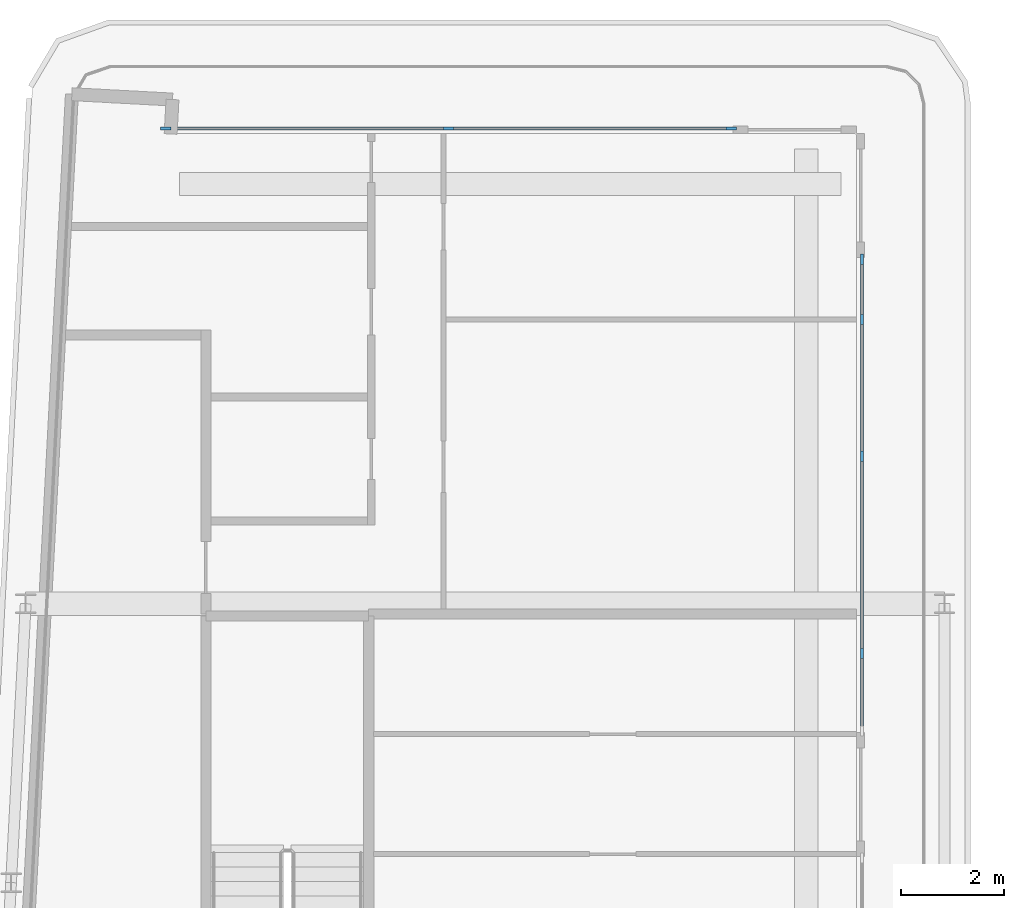
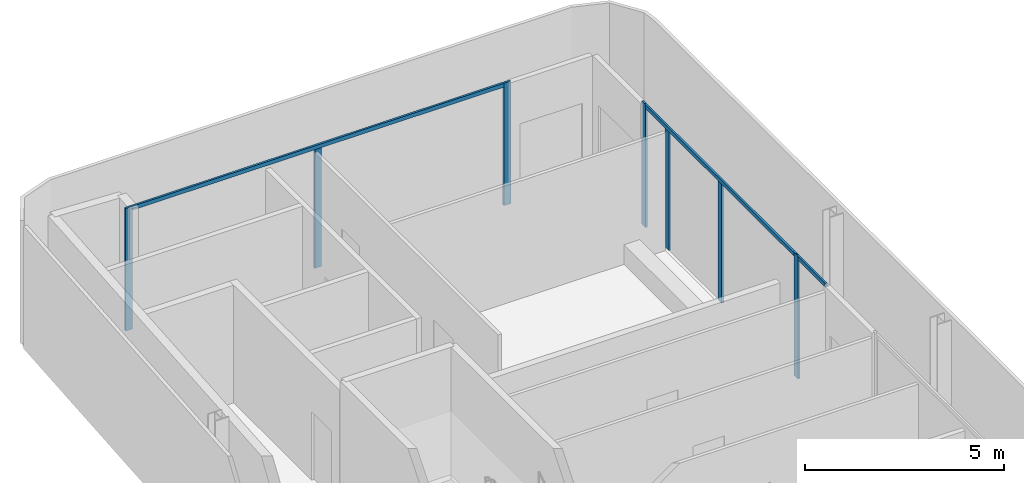
# One storey, part 8 of 21: 10 members, 3 elements without a shape of their own.
"""IFC4 building model written with IfcOpenShell, lengths in metres."""

import ifcopenshell
import ifcopenshell.guid

model = None  # the IFC model being written
_history = None  # IfcOwnerHistory: only IFC2X3 demands one
_inside = {}  # id of a spatial element -> (the spatial element, [elements in it])
_under = {}  # id of a project, library or spatial element -> (it, [spatial elements below it])
_declared = {}  # id of a project -> (the project, [libraries it declares])
_typed = {}  # id of a type object -> (the type object, [elements of that type])
_made_of = {}  # id of a material, layer set ... -> (it, [elements and type objects made of it])


def new_model(schema):
    """Start an empty IFC model of exactly this schema.

    Asked for "IFC4X3", IfcOpenShell would pick the latest addendum, in which some entities
    have other attributes; the version numbers below select the first issue.
    IFC2X3 requires an IfcOwnerHistory on every rooted entity: one is made here for all.
    """
    global model, _history
    if schema == "IFC4X3":
        model = ifcopenshell.file(schema_version=(4, 3, 0, 0))
    else:
        model = ifcopenshell.file(schema=schema)
    _inside.clear()
    _under.clear()
    _declared.clear()
    _typed.clear()
    _made_of.clear()
    _history = None
    if model.schema == "IFC2X3":
        org = make("IfcOrganization", Name="unknown")
        user = make(
            "IfcPersonAndOrganization",
            ThePerson=make("IfcPerson", FamilyName="unknown"),
            TheOrganization=org,
        )
        app = make(
            "IfcApplication",
            ApplicationDeveloper=org,
            Version="unknown",
            ApplicationFullName="unknown",
            ApplicationIdentifier="unknown",
        )
        _history = make(
            "IfcOwnerHistory",
            OwningUser=user,
            OwningApplication=app,
            ChangeAction="ADDED",
            CreationDate=0,
        )
    return model


def make(cls, **values):
    """One entity of the class cls with the attributes given. An attribute that is None is left unset."""
    return model.create_entity(
        cls, **{name: value for name, value in values.items() if value is not None}
    )


def rooted(cls, **values):
    """An entity with a GlobalId (a new one), such as an element, a storey or a relation."""
    return make(cls, GlobalId=ifcopenshell.guid.new(), OwnerHistory=_history, **values)


def si_unit(unit_type, name, prefix=None):
    """IfcSIUnit, for example si_unit("LENGTHUNIT", "METRE", prefix="MILLI")."""
    return make("IfcSIUnit", UnitType=unit_type, Prefix=prefix, Name=name)


def assignment(units):
    """IfcUnitAssignment: the units of a project."""
    return None if units is None else make("IfcUnitAssignment", Units=units)


def point(xyz):
    """IfcCartesianPoint."""
    return None if xyz is None else make("IfcCartesianPoint", Coordinates=xyz)


def direction(xyz):
    """IfcDirection."""
    return None if xyz is None else make("IfcDirection", DirectionRatios=xyz)


def frame(location, z_axis=None, x_axis=None):
    """IfcAxis2Placement3D, a coordinate frame: its origin and axes. An axis left out is left unset."""
    return make(
        "IfcAxis2Placement3D",
        Location=point(location),
        Axis=direction(z_axis),
        RefDirection=direction(x_axis),
    )


def frame_2d(location, x_axis=None):
    """IfcAxis2Placement2D, a coordinate frame in the plane: its origin and x axis."""
    return make(
        "IfcAxis2Placement2D", Location=point(location), RefDirection=direction(x_axis)
    )


def origin():
    """The frame at (0, 0, 0) with its axes left unset."""
    return frame((0.0, 0.0, 0.0))


def origin_2d():
    """The frame at (0, 0) in the plane with its x axis left unset."""
    return frame_2d((0.0, 0.0))


def place(relative_to, where):
    """IfcLocalPlacement: puts the frame where relative to a parent placement (None: the world)."""
    return make(
        "IfcLocalPlacement", PlacementRelTo=relative_to, RelativePlacement=where
    )


def context(
    kind, dimensions, precision=None, world=None, true_north=None, identifier=None
):
    """IfcGeometricRepresentationContext, for example the 3D "Model" context."""
    return make(
        "IfcGeometricRepresentationContext",
        ContextIdentifier=identifier,
        ContextType=kind,
        CoordinateSpaceDimension=dimensions,
        Precision=precision,
        WorldCoordinateSystem=world,
        TrueNorth=true_north,
    )


def subcontext(parent, identifier, kind, view, scale=None):
    """IfcGeometricRepresentationSubContext, for example "Body" below "Model"."""
    return make(
        "IfcGeometricRepresentationSubContext",
        ContextIdentifier=identifier,
        ContextType=kind,
        ParentContext=parent,
        TargetScale=scale,
        TargetView=view,
    )


def project(units=None, contexts=None):
    """IfcProject with its units and contexts."""
    return rooted(
        "IfcProject",
        Name="project",
        RepresentationContexts=contexts,
        UnitsInContext=assignment(units),
    )


def spatial(cls, under=None, at=None, **own):
    """A site, building, storey or space (cls), placed at a placement, below another one or the project."""
    s = rooted(cls, ObjectPlacement=at, **own)
    if under is not None:
        _under.setdefault(under.id(), (under, []))[1].append(s)
    return s


def profile(cls, at=None, kind="AREA", **sizes):
    """A parametric profile (cls). Its sizes go by their IFC names, for example OverallWidth=200.0."""
    return make(cls, ProfileType=kind, Position=at, **sizes)


def rectangle(**sizes):
    """IfcRectangleProfileDef."""
    return profile("IfcRectangleProfileDef", **sizes)


def extrude(swept, where, along, depth):
    """IfcExtrudedAreaSolid: the profile swept, set in the frame where, extruded along a direction by depth."""
    return make(
        "IfcExtrudedAreaSolid",
        SweptArea=swept,
        Position=where,
        ExtrudedDirection=direction(along),
        Depth=depth,
    )


def shape(context_of_items, identifier, shape_type, items):
    """IfcShapeRepresentation: the items that make up one representation, for example the "Body"."""
    return make(
        "IfcShapeRepresentation",
        ContextOfItems=context_of_items,
        RepresentationIdentifier=identifier,
        RepresentationType=shape_type,
        Items=items,
    )


def material(Name=None, Category=None):
    """IfcMaterial."""
    return make("IfcMaterial", Name=Name, Category=Category)


def layer(
    of_material, thickness, ventilated=None, Name=None, Category=None, Priority=None
):
    """IfcMaterialLayer: one layer of a wall or slab, of a material (None: an air gap)."""
    return make(
        "IfcMaterialLayer",
        Material=of_material,
        LayerThickness=thickness,
        IsVentilated=ventilated,
        Name=Name,
        Category=Category,
        Priority=Priority,
    )


def layer_set(layers, Name=None):
    """IfcMaterialLayerSet."""
    return make("IfcMaterialLayerSet", MaterialLayers=layers, LayerSetName=Name)


def material_profile(
    of_material, cross_section, Name=None, Category=None, Priority=None
):
    """IfcMaterialProfile: a cross section and its material."""
    return make(
        "IfcMaterialProfile",
        Name=Name,
        Material=of_material,
        Profile=cross_section,
        Priority=Priority,
        Category=Category,
    )


def profile_set(profiles, Name=None, composite=None):
    """IfcMaterialProfileSet."""
    return make(
        "IfcMaterialProfileSet",
        Name=Name,
        MaterialProfiles=profiles,
        CompositeProfile=composite,
    )


def made_of(thing, what):
    """Note that an element or type object is made of a material, layer set ...; save() writes the relation."""
    if what is not None:
        _made_of.setdefault(what.id(), (what, []))[1].append(thing)
    return thing


def type_object(cls, material=None, **own):
    """A type object (cls), such as IfcWallType, which elements share."""
    return made_of(rooted(cls, **own), material)


def element(
    cls,
    number,
    at=None,
    inside=None,
    cuts=None,
    type_object=None,
    material=None,
    context=None,
    identifier="Body",
    shape_type=None,
    held_by="IfcProductDefinitionShape",
    body=None,
    shapes=None,
    **own,
):
    """One element of the class cls, such as IfcWall. Its Tag is "e" and its number.

    at: its placement. inside: the storey or other place that contains it. cuts: it is an
    opening in that element (IfcRelVoidsElement). A single representation is given by context,
    identifier, shape_type and body (its items); several are given by shapes. held_by: the class
    of the entity that holds the representations. save() writes the other relations.
    """
    e = rooted(cls, Tag="e%d" % number, ObjectPlacement=at, **own)
    if body is not None:
        shapes = [shape(context, identifier, shape_type, body)]
    if shapes is not None:
        e.Representation = make(held_by, Representations=shapes)
    if inside is not None:
        _inside.setdefault(inside.id(), (inside, []))[1].append(e)
    if cuts is not None:
        rooted(
            "IfcRelVoidsElement", RelatingBuildingElement=cuts, RelatedOpeningElement=e
        )
    if type_object is not None:
        _typed.setdefault(type_object.id(), (type_object, []))[1].append(e)
    return made_of(e, material)


def aggregate(whole, parts):
    """IfcRelAggregates: a whole, such as a stair, and the parts it consists of."""
    return rooted("IfcRelAggregates", RelatingObject=whole, RelatedObjects=parts)


def save(model, path):
    """Write the relations noted so far, then the file.

    IfcRelAggregates (storeys below a building ...), IfcRelContainedInSpatialStructure (elements
    in a storey), IfcRelDefinesByType, IfcRelAssociatesMaterial and IfcRelDeclares: one each for
    every whole, place, type object, material and project.
    """
    for whole, parts in _under.values():
        aggregate(whole, parts)
    for where, things in _inside.values():
        rooted(
            "IfcRelContainedInSpatialStructure",
            RelatedElements=things,
            RelatingStructure=where,
        )
    for kind, things in _typed.values():
        rooted("IfcRelDefinesByType", RelatedObjects=things, RelatingType=kind)
    for what, things in _made_of.values():
        rooted("IfcRelAssociatesMaterial", RelatedObjects=things, RelatingMaterial=what)
    for by, libraries in _declared.values():
        rooted("IfcRelDeclares", RelatingContext=by, RelatedDefinitions=libraries)
    model.write(path)


model = new_model("IFC4")

# Units and contexts
model_context = context("Model", 3, precision=1e-05, world=origin(), true_north=direction((0.0, 1.0)))
body_context = subcontext(model_context, "Body", "Model", "MODEL_VIEW")
ifc_project = project(units=[si_unit("LENGTHUNIT", "METRE"), si_unit("AREAUNIT", "SQUARE_METRE"), si_unit("VOLUMEUNIT", "CUBIC_METRE"), si_unit("PLANEANGLEUNIT", "RADIAN"), si_unit("MASSUNIT", "GRAM", prefix="KILO")], contexts=[model_context])

# Site, building, storey
site_placement = place(None, origin())
site = spatial("IfcSite", under=ifc_project, at=site_placement, CompositionType="ELEMENT")
building_placement = place(site_placement, origin())
building = spatial("IfcBuilding", under=site, at=building_placement, Name="Kheshtan School and Residences Tower", CompositionType="ELEMENT")
storey_placement = place(building_placement, frame((0.0, 0.0, 305.89990234375)))
storey = spatial("IfcBuildingStorey", under=building, at=storey_placement, Name="L72", CompositionType="ELEMENT", Elevation=305.89990234375)

# Curtain wall, members
ifc_material_1 = material(Name="Clear low-e glass in thermally broken aluminium frame", Category="aluminium")
ifc_layer = layer(ifc_material_1, 0.199951171875)
ifc_layer_set = layer_set([ifc_layer], Name="Curtain wall CW-L")
curtain_wall_type = type_object("IfcCurtainWallType", Name="Curtain wall CW-L", PredefinedType="NOTDEFINED", material=ifc_layer_set)
curtain_wall_1_placement = place(storey_placement, origin())
curtain_wall_1 = element("IfcCurtainWall", 1, at=curtain_wall_1_placement, inside=storey, type_object=curtain_wall_type, Name="Curtain wall CWL7", PredefinedType="NOTDEFINED")
ifc_material_2 = material(Name="Thermally broken aluminium, dark bronze anodised", Category="aluminium")
ifc_material_profile_1 = material_profile(ifc_material_2, rectangle(XDim=0.06005859375, YDim=0.199951171875, at=origin_2d()), Name="CW-L mullion 60x200")
ifc_profile_set_1 = profile_set([ifc_material_profile_1], Name="Thermally broken aluminium, dark bronze anodised")
member_type_1 = type_object("IfcMemberType", Name="CW-L mullion 60x200", PredefinedType="MULLION", material=ifc_profile_set_1)
member_1_placement = place(storey_placement, frame((32.52197265625, 98.0, 0.0), z_axis=(0.0, 0.0, 1.0), x_axis=(0.0, 1.0, 0.0)))
member_1 = element("IfcMember", 2, at=member_1_placement, type_object=member_type_1, Name="CWL7 mullion 1", PredefinedType="MULLION", context=body_context, shape_type="SweptSolid", body=[
    extrude(rectangle(XDim=0.06005859375, YDim=0.199951171875, at=origin_2d()), origin(), (0.0, 0.0, 1.0), 3.75),
])
member_2_placement = place(storey_placement, frame((37.99609375, 98.0, 0.0), z_axis=(0.0, 0.0, 1.0), x_axis=(0.0, 1.0, 0.0)))
member_2 = element("IfcMember", 3, at=member_2_placement, type_object=member_type_1, Name="CWL7 mullion 2", PredefinedType="MULLION", context=body_context, shape_type="SweptSolid", body=[
    extrude(rectangle(XDim=0.06005859375, YDim=0.199951171875, at=origin_2d()), origin(), (0.0, 0.0, 1.0), 3.630126953125),
])
member_3_placement = place(storey_placement, frame((43.469970703125, 98.0, 0.0), z_axis=(0.0, 0.0, 1.0), x_axis=(0.0, 1.0, 0.0)))
member_3 = element("IfcMember", 4, at=member_3_placement, type_object=member_type_1, Name="CWL7 mullion 3", PredefinedType="MULLION", context=body_context, shape_type="SweptSolid", body=[
    extrude(rectangle(XDim=0.06005859375, YDim=0.199951171875, at=origin_2d()), origin(), (0.0, 0.0, 1.0), 3.75),
])

curtain_wall_2_placement = place(storey_placement, origin())
curtain_wall_2 = element("IfcCurtainWall", 5, at=curtain_wall_2_placement, inside=storey, type_object=curtain_wall_type, Name="Curtain wall CWL8c", PredefinedType="NOTDEFINED")
member_4_placement = place(storey_placement, frame((46.0, 95.469970703125, 0.0), z_axis=(0.0, 0.0, 1.0), x_axis=(1.0, 0.0, 0.0)))
member_4 = element("IfcMember", 6, at=member_4_placement, type_object=member_type_1, Name="CWL8c mullion 1", PredefinedType="MULLION", context=body_context, shape_type="SweptSolid", body=[
    extrude(rectangle(XDim=0.06005859375, YDim=0.199951171875, at=origin_2d()), origin(), (0.0, 0.0, 1.0), 3.75),
])
member_5_placement = place(storey_placement, frame((46.0, 94.300048828125, 0.0), z_axis=(0.0, 0.0, 1.0), x_axis=(1.0, 0.0, 0.0)))
member_5 = element("IfcMember", 7, at=member_5_placement, type_object=member_type_1, Name="CWL8c mullion 2", PredefinedType="MULLION", context=body_context, shape_type="SweptSolid", body=[
    extrude(rectangle(XDim=0.06005859375, YDim=0.199951171875, at=origin_2d()), origin(), (0.0, 0.0, 1.0), 3.630126953125),
])
member_6_placement = place(storey_placement, frame((46.0, 91.653076171875, 0.0), z_axis=(0.0, 0.0, 1.0), x_axis=(1.0, 0.0, 0.0)))
member_6 = element("IfcMember", 8, at=member_6_placement, type_object=member_type_1, Name="CWL8c mullion 3", PredefinedType="MULLION", context=body_context, shape_type="SweptSolid", body=[
    extrude(rectangle(XDim=0.06005859375, YDim=0.199951171875, at=origin_2d()), origin(), (0.0, 0.0, 1.0), 3.630126953125),
])
member_7_placement = place(storey_placement, frame((46.0, 87.8359375, 0.0), z_axis=(0.0, 0.0, 1.0), x_axis=(1.0, 0.0, 0.0)))
member_7 = element("IfcMember", 9, at=member_7_placement, type_object=member_type_1, Name="CWL8c mullion 4", PredefinedType="MULLION", context=body_context, shape_type="SweptSolid", body=[
    extrude(rectangle(XDim=0.06005859375, YDim=0.199951171875, at=origin_2d()), origin(), (0.0, 0.0, 1.0), 3.75),
])

# Member
ifc_material_profile_2 = material_profile(ifc_material_2, rectangle(XDim=0.06005859375, YDim=0.1201171875, at=origin_2d()), Name="CW-L transom 60x120")
ifc_profile_set_2 = profile_set([ifc_material_profile_2], Name="Thermally broken aluminium, dark bronze anodised")
member_type_2 = type_object("IfcMemberType", Name="CW-L transom 60x120", PredefinedType="USERDEFINED", material=ifc_profile_set_2)
member_8_placement = place(storey_placement, frame((32.552001953125, 98.0, 3.690185546875), z_axis=(1.0, 0.0, 0.0), x_axis=(0.0, 1.0, 0.0)))
member_8 = element("IfcMember", 10, at=member_8_placement, type_object=member_type_2, Name="CWL7 transom 1", ObjectType="TRANSOM", PredefinedType="USERDEFINED", context=body_context, shape_type="SweptSolid", body=[
    extrude(rectangle(XDim=0.06005859375, YDim=0.1201171875, at=origin_2d()), origin(), (0.0, 0.0, 1.0), 10.887939453125),
])

aggregate(curtain_wall_1, [member_1, member_2, member_3, member_8])

member_9_placement = place(storey_placement, frame((46.0, 95.43994140625, 3.690185546875), z_axis=(0.0, -1.0, 0.0), x_axis=(1.0, 0.0, 0.0)))
member_9 = element("IfcMember", 11, at=member_9_placement, type_object=member_type_2, Name="CWL8c transom 1", ObjectType="TRANSOM", PredefinedType="USERDEFINED", context=body_context, shape_type="SweptSolid", body=[
    extrude(rectangle(XDim=0.06005859375, YDim=0.1201171875, at=origin_2d()), origin(), (0.0, 0.0, 1.0), 7.573974609375),
])

aggregate(curtain_wall_2, [member_4, member_5, member_6, member_7, member_9])

# Curtain wall, member
curtain_wall_3_placement = place(storey_placement, origin())
curtain_wall_3 = element("IfcCurtainWall", 12, at=curtain_wall_3_placement, inside=storey, type_object=curtain_wall_type, Name="Curtain wall CWL8a", PredefinedType="NOTDEFINED")
member_10_placement = place(storey_placement, frame((46.0, 87.805908203125, 3.690185546875), z_axis=(0.0, -1.0, 0.0), x_axis=(1.0, 0.0, 0.0)))
member_10 = element("IfcMember", 13, at=member_10_placement, type_object=member_type_2, Name="CWL8a transom 1", ObjectType="TRANSOM", PredefinedType="USERDEFINED", context=body_context, shape_type="SweptSolid", body=[
    extrude(rectangle(XDim=0.06005859375, YDim=0.1201171875, at=origin_2d()), origin(), (0.0, 0.0, 1.0), 1.43994140625),
])
aggregate(curtain_wall_3, [member_10])

save(model, "model.ifc")
